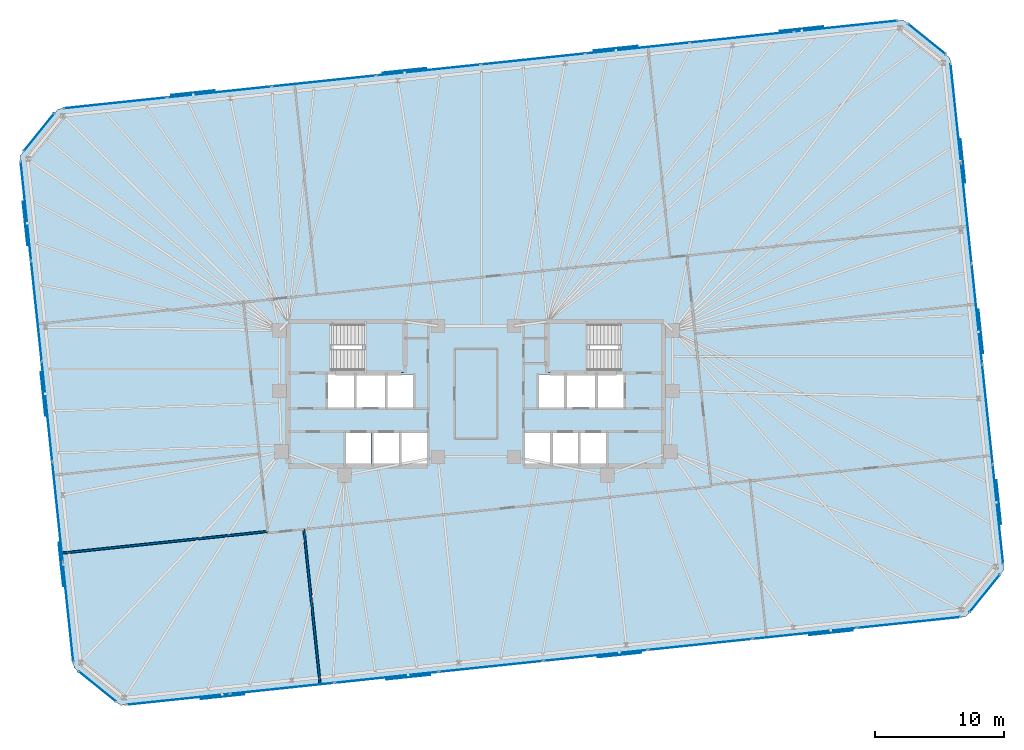
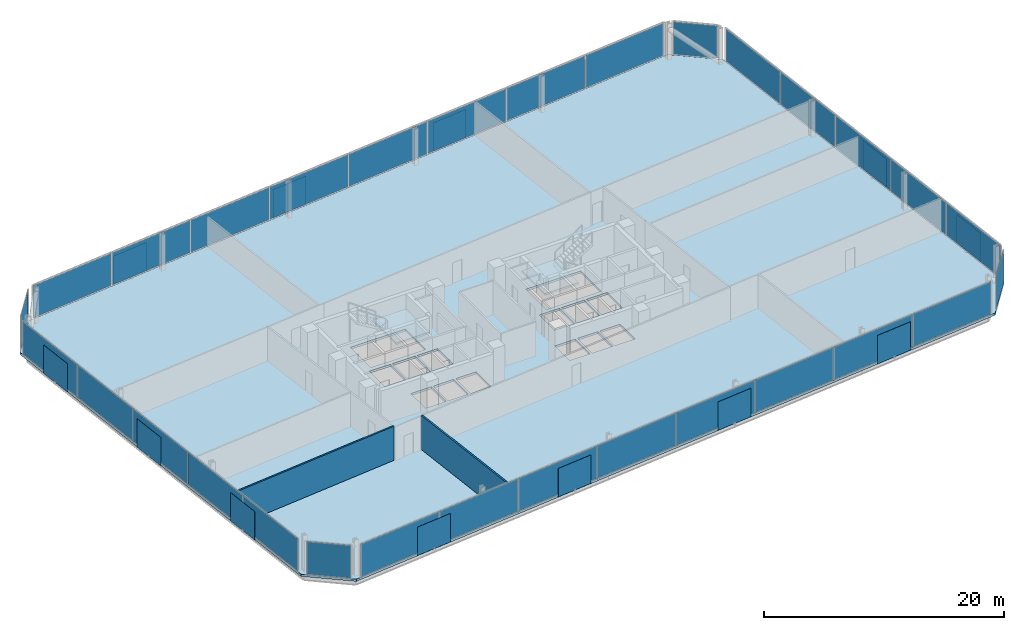
# One storey, part 13 of 18: 44 plates, 3 slabs, 2 walls, 10 elements without a shape of their own.
"""IFC4 building model written with IfcOpenShell, lengths in metres."""

import ifcopenshell
import ifcopenshell.guid

model = None  # the IFC model being written
_history = None  # IfcOwnerHistory: only IFC2X3 demands one
_inside = {}  # id of a spatial element -> (the spatial element, [elements in it])
_under = {}  # id of a project, library or spatial element -> (it, [spatial elements below it])
_declared = {}  # id of a project -> (the project, [libraries it declares])
_typed = {}  # id of a type object -> (the type object, [elements of that type])
_made_of = {}  # id of a material, layer set ... -> (it, [elements and type objects made of it])


def new_model(schema):
    """Start an empty IFC model of exactly this schema.

    Asked for "IFC4X3", IfcOpenShell would pick the latest addendum, in which some entities
    have other attributes; the version numbers below select the first issue.
    IFC2X3 requires an IfcOwnerHistory on every rooted entity: one is made here for all.
    """
    global model, _history
    if schema == "IFC4X3":
        model = ifcopenshell.file(schema_version=(4, 3, 0, 0))
    else:
        model = ifcopenshell.file(schema=schema)
    _inside.clear()
    _under.clear()
    _declared.clear()
    _typed.clear()
    _made_of.clear()
    _history = None
    if model.schema == "IFC2X3":
        org = make("IfcOrganization", Name="unknown")
        user = make(
            "IfcPersonAndOrganization",
            ThePerson=make("IfcPerson", FamilyName="unknown"),
            TheOrganization=org,
        )
        app = make(
            "IfcApplication",
            ApplicationDeveloper=org,
            Version="unknown",
            ApplicationFullName="unknown",
            ApplicationIdentifier="unknown",
        )
        _history = make(
            "IfcOwnerHistory",
            OwningUser=user,
            OwningApplication=app,
            ChangeAction="ADDED",
            CreationDate=0,
        )
    return model


def make(cls, **values):
    """One entity of the class cls with the attributes given. An attribute that is None is left unset."""
    return model.create_entity(
        cls, **{name: value for name, value in values.items() if value is not None}
    )


def rooted(cls, **values):
    """An entity with a GlobalId (a new one), such as an element, a storey or a relation."""
    return make(cls, GlobalId=ifcopenshell.guid.new(), OwnerHistory=_history, **values)


def si_unit(unit_type, name, prefix=None):
    """IfcSIUnit, for example si_unit("LENGTHUNIT", "METRE", prefix="MILLI")."""
    return make("IfcSIUnit", UnitType=unit_type, Prefix=prefix, Name=name)


def assignment(units):
    """IfcUnitAssignment: the units of a project."""
    return None if units is None else make("IfcUnitAssignment", Units=units)


def point(xyz):
    """IfcCartesianPoint."""
    return None if xyz is None else make("IfcCartesianPoint", Coordinates=xyz)


def direction(xyz):
    """IfcDirection."""
    return None if xyz is None else make("IfcDirection", DirectionRatios=xyz)


def frame(location, z_axis=None, x_axis=None):
    """IfcAxis2Placement3D, a coordinate frame: its origin and axes. An axis left out is left unset."""
    return make(
        "IfcAxis2Placement3D",
        Location=point(location),
        Axis=direction(z_axis),
        RefDirection=direction(x_axis),
    )


def frame_2d(location, x_axis=None):
    """IfcAxis2Placement2D, a coordinate frame in the plane: its origin and x axis."""
    return make(
        "IfcAxis2Placement2D", Location=point(location), RefDirection=direction(x_axis)
    )


def origin():
    """The frame at (0, 0, 0) with its axes left unset."""
    return frame((0.0, 0.0, 0.0))


def origin_2d():
    """The frame at (0, 0) in the plane with its x axis left unset."""
    return frame_2d((0.0, 0.0))


def place(relative_to, where):
    """IfcLocalPlacement: puts the frame where relative to a parent placement (None: the world)."""
    return make(
        "IfcLocalPlacement", PlacementRelTo=relative_to, RelativePlacement=where
    )


def context(
    kind, dimensions, precision=None, world=None, true_north=None, identifier=None
):
    """IfcGeometricRepresentationContext, for example the 3D "Model" context."""
    return make(
        "IfcGeometricRepresentationContext",
        ContextIdentifier=identifier,
        ContextType=kind,
        CoordinateSpaceDimension=dimensions,
        Precision=precision,
        WorldCoordinateSystem=world,
        TrueNorth=true_north,
    )


def subcontext(parent, identifier, kind, view, scale=None):
    """IfcGeometricRepresentationSubContext, for example "Body" below "Model"."""
    return make(
        "IfcGeometricRepresentationSubContext",
        ContextIdentifier=identifier,
        ContextType=kind,
        ParentContext=parent,
        TargetScale=scale,
        TargetView=view,
    )


def project(units=None, contexts=None):
    """IfcProject with its units and contexts."""
    return rooted(
        "IfcProject",
        Name="project",
        RepresentationContexts=contexts,
        UnitsInContext=assignment(units),
    )


def spatial(cls, under=None, at=None, **own):
    """A site, building, storey or space (cls), placed at a placement, below another one or the project."""
    s = rooted(cls, ObjectPlacement=at, **own)
    if under is not None:
        _under.setdefault(under.id(), (under, []))[1].append(s)
    return s


def polyline(points):
    """IfcPolyline through the points."""
    return make("IfcPolyline", Points=[point(p) for p in points])


def profile(cls, at=None, kind="AREA", **sizes):
    """A parametric profile (cls). Its sizes go by their IFC names, for example OverallWidth=200.0."""
    return make(cls, ProfileType=kind, Position=at, **sizes)


def rectangle(**sizes):
    """IfcRectangleProfileDef."""
    return profile("IfcRectangleProfileDef", **sizes)


def outline(outer, holes=None, kind="AREA"):
    """IfcArbitraryClosedProfileDef: a profile drawn as a closed curve; with holes, ...WithVoids."""
    if holes is None:
        return make("IfcArbitraryClosedProfileDef", ProfileType=kind, OuterCurve=outer)
    return make(
        "IfcArbitraryProfileDefWithVoids",
        ProfileType=kind,
        OuterCurve=outer,
        InnerCurves=holes,
    )


def extrude(swept, where, along, depth):
    """IfcExtrudedAreaSolid: the profile swept, set in the frame where, extruded along a direction by depth."""
    return make(
        "IfcExtrudedAreaSolid",
        SweptArea=swept,
        Position=where,
        ExtrudedDirection=direction(along),
        Depth=depth,
    )


def shape(context_of_items, identifier, shape_type, items):
    """IfcShapeRepresentation: the items that make up one representation, for example the "Body"."""
    return make(
        "IfcShapeRepresentation",
        ContextOfItems=context_of_items,
        RepresentationIdentifier=identifier,
        RepresentationType=shape_type,
        Items=items,
    )


def material(Name=None, Category=None):
    """IfcMaterial."""
    return make("IfcMaterial", Name=Name, Category=Category)


def layer(
    of_material, thickness, ventilated=None, Name=None, Category=None, Priority=None
):
    """IfcMaterialLayer: one layer of a wall or slab, of a material (None: an air gap)."""
    return make(
        "IfcMaterialLayer",
        Material=of_material,
        LayerThickness=thickness,
        IsVentilated=ventilated,
        Name=Name,
        Category=Category,
        Priority=Priority,
    )


def layer_set(layers, Name=None):
    """IfcMaterialLayerSet."""
    return make("IfcMaterialLayerSet", MaterialLayers=layers, LayerSetName=Name)


def made_of(thing, what):
    """Note that an element or type object is made of a material, layer set ...; save() writes the relation."""
    if what is not None:
        _made_of.setdefault(what.id(), (what, []))[1].append(thing)
    return thing


def type_object(cls, material=None, **own):
    """A type object (cls), such as IfcWallType, which elements share."""
    return made_of(rooted(cls, **own), material)


def element(
    cls,
    number,
    at=None,
    inside=None,
    cuts=None,
    type_object=None,
    material=None,
    context=None,
    identifier="Body",
    shape_type=None,
    held_by="IfcProductDefinitionShape",
    body=None,
    shapes=None,
    **own,
):
    """One element of the class cls, such as IfcWall. Its Tag is "e" and its number.

    at: its placement. inside: the storey or other place that contains it. cuts: it is an
    opening in that element (IfcRelVoidsElement). A single representation is given by context,
    identifier, shape_type and body (its items); several are given by shapes. held_by: the class
    of the entity that holds the representations. save() writes the other relations.
    """
    e = rooted(cls, Tag="e%d" % number, ObjectPlacement=at, **own)
    if body is not None:
        shapes = [shape(context, identifier, shape_type, body)]
    if shapes is not None:
        e.Representation = make(held_by, Representations=shapes)
    if inside is not None:
        _inside.setdefault(inside.id(), (inside, []))[1].append(e)
    if cuts is not None:
        rooted(
            "IfcRelVoidsElement", RelatingBuildingElement=cuts, RelatedOpeningElement=e
        )
    if type_object is not None:
        _typed.setdefault(type_object.id(), (type_object, []))[1].append(e)
    return made_of(e, material)


def aggregate(whole, parts):
    """IfcRelAggregates: a whole, such as a stair, and the parts it consists of."""
    return rooted("IfcRelAggregates", RelatingObject=whole, RelatedObjects=parts)


def save(model, path):
    """Write the relations noted so far, then the file.

    IfcRelAggregates (storeys below a building ...), IfcRelContainedInSpatialStructure (elements
    in a storey), IfcRelDefinesByType, IfcRelAssociatesMaterial and IfcRelDeclares: one each for
    every whole, place, type object, material and project.
    """
    for whole, parts in _under.values():
        aggregate(whole, parts)
    for where, things in _inside.values():
        rooted(
            "IfcRelContainedInSpatialStructure",
            RelatedElements=things,
            RelatingStructure=where,
        )
    for kind, things in _typed.values():
        rooted("IfcRelDefinesByType", RelatedObjects=things, RelatingType=kind)
    for what, things in _made_of.values():
        rooted("IfcRelAssociatesMaterial", RelatedObjects=things, RelatingMaterial=what)
    for by, libraries in _declared.values():
        rooted("IfcRelDeclares", RelatingContext=by, RelatedDefinitions=libraries)
    model.write(path)


model = new_model("IFC4")

# Units and contexts
model_context = context("Model", 3, precision=1e-05, world=origin(), true_north=direction((0.0, 1.0)))
body_context = subcontext(model_context, "Body", "Model", "MODEL_VIEW")
ifc_project = project(units=[si_unit("LENGTHUNIT", "METRE"), si_unit("AREAUNIT", "SQUARE_METRE"), si_unit("VOLUMEUNIT", "CUBIC_METRE"), si_unit("PLANEANGLEUNIT", "RADIAN"), si_unit("MASSUNIT", "GRAM", prefix="KILO")], contexts=[model_context])

# Site, building, storey
site_placement = place(None, origin())
site = spatial("IfcSite", under=ifc_project, at=site_placement, CompositionType="ELEMENT")
building_placement = place(site_placement, origin())
building = spatial("IfcBuilding", under=site, at=building_placement, Name="Menara Jurai Vektor", CompositionType="ELEMENT")
storey_placement = place(building_placement, frame((0.0, 0.0, 135.5)))
storey = spatial("IfcBuildingStorey", under=building, at=storey_placement, Name="L34", CompositionType="ELEMENT", Elevation=135.5)

# Curtain wall, plates
ifc_material_1 = material(Name="Anodised Pale Aluminium & Low-E Double Glazing", Category="aluminium")
curtain_wall_type = type_object("IfcCurtainWallType", Name="CW-BLK2", PredefinedType="NOTDEFINED", material=ifc_material_1)
curtain_wall_1_placement = place(storey_placement, origin())
curtain_wall_1 = element("IfcCurtainWall", 1, at=curtain_wall_1_placement, inside=storey, type_object=curtain_wall_type, Name="Unitised Curtain Wall L34 F01", PredefinedType="NOTDEFINED")
ifc_material_2 = material(Name="Low-E Solar-Control Double Glazed Unit", Category="glass")
ifc_layer_1 = layer(ifc_material_2, 0.033935546875)
ifc_layer_set_1 = layer_set([ifc_layer_1], Name="Low-E Solar-Control Double Glazed Unit")
plate_type_1 = type_object("IfcPlateType", Name="CW-BLK2-PNL", PredefinedType="CURTAIN_PANEL", material=ifc_layer_set_1)
plate_1_placement = place(storey_placement, frame((-23.090087890625, -23.69921875, 0.090087890625), z_axis=(0.0, 0.0, 1.0), x_axis=(0.994521877325, 0.104528634935, 0.0)))
plate_1 = element("IfcPlate", 2, at=plate_1_placement, type_object=plate_type_1, Name="CW-02 panel 1.1", PredefinedType="CURTAIN_PANEL", context=body_context, shape_type="SweptSolid", body=[
    extrude(rectangle(XDim=8.007568359375, YDim=0.033935546875, at=origin_2d()), origin(), (0.0, 0.0, 1.0), 3.294921875),
])
plate_2_placement = place(storey_placement, frame((-15.014404296875, -22.850341796875, 0.090087890625), z_axis=(0.0, 0.0, 1.0), x_axis=(0.994521877325, 0.104528634935, 0.0)))
plate_2 = element("IfcPlate", 3, at=plate_2_placement, type_object=plate_type_1, Name="CW-02 panel 2.1", PredefinedType="CURTAIN_PANEL", context=body_context, shape_type="SweptSolid", body=[
    extrude(rectangle(XDim=8.052490234375, YDim=0.033935546875, at=origin_2d()), origin(), (0.0, 0.0, 1.0), 3.294921875),
])
plate_3_placement = place(storey_placement, frame((-6.91650390625, -21.999267578125, 0.090087890625), z_axis=(0.0, 0.0, 1.0), x_axis=(0.994521877325, 0.104528634935, 0.0)))
plate_3 = element("IfcPlate", 4, at=plate_3_placement, type_object=plate_type_1, Name="CW-02 panel 3.1", PredefinedType="CURTAIN_PANEL", context=body_context, shape_type="SweptSolid", body=[
    extrude(rectangle(XDim=8.052490234375, YDim=0.033935546875, at=origin_2d()), origin(), (0.0, 0.0, 1.0), 3.294921875),
])
plate_4_placement = place(storey_placement, frame((1.181396484375, -21.148193359375, 0.090087890625), z_axis=(0.0, 0.0, 1.0), x_axis=(0.994521877325, 0.104528634935, 0.0)))
plate_4 = element("IfcPlate", 5, at=plate_4_placement, type_object=plate_type_1, Name="CW-02 panel 4.1", PredefinedType="CURTAIN_PANEL", context=body_context, shape_type="SweptSolid", body=[
    extrude(rectangle(XDim=8.052490234375, YDim=0.033935546875, at=origin_2d()), origin(), (0.0, 0.0, 1.0), 3.294921875),
])
plate_5_placement = place(storey_placement, frame((9.279296875, -20.297119140625, 0.090087890625), z_axis=(0.0, 0.0, 1.0), x_axis=(0.994521877325, 0.104528634935, 0.0)))
plate_5 = element("IfcPlate", 6, at=plate_5_placement, type_object=plate_type_1, Name="CW-02 panel 5.1", PredefinedType="CURTAIN_PANEL", context=body_context, shape_type="SweptSolid", body=[
    extrude(rectangle(XDim=8.052490234375, YDim=0.033935546875, at=origin_2d()), origin(), (0.0, 0.0, 1.0), 3.294921875),
])
plate_6_placement = place(storey_placement, frame((17.377197265625, -19.44580078125, 0.090087890625), z_axis=(0.0, 0.0, 1.0), x_axis=(0.994521877325, 0.104528634935, 0.0)))
plate_6 = element("IfcPlate", 7, at=plate_6_placement, type_object=plate_type_1, Name="CW-02 panel 6.1", PredefinedType="CURTAIN_PANEL", context=body_context, shape_type="SweptSolid", body=[
    extrude(rectangle(XDim=8.052490234375, YDim=0.033935546875, at=origin_2d()), origin(), (0.0, 0.0, 1.0), 3.294921875),
])
plate_7_placement = place(storey_placement, frame((25.47509765625, -18.5947265625, 0.090087890625), z_axis=(0.0, 0.0, 1.0), x_axis=(0.994521877325, 0.104528634935, 0.0)))
plate_7 = element("IfcPlate", 8, at=plate_7_placement, type_object=plate_type_1, Name="CW-02 panel 7.1", PredefinedType="CURTAIN_PANEL", context=body_context, shape_type="SweptSolid", body=[
    extrude(rectangle(XDim=8.052490234375, YDim=0.033935546875, at=origin_2d()), origin(), (0.0, 0.0, 1.0), 3.294921875),
])
plate_8_placement = place(storey_placement, frame((33.550537109375, -17.74609375, 0.090087890625), z_axis=(0.0, 0.0, 1.0), x_axis=(0.994521877325, 0.104528634935, 0.0)))
plate_8 = element("IfcPlate", 9, at=plate_8_placement, type_object=plate_type_1, Name="CW-02 panel 8.1", PredefinedType="CURTAIN_PANEL", context=body_context, shape_type="SweptSolid", body=[
    extrude(rectangle(XDim=8.007568359375, YDim=0.033935546875, at=origin_2d()), origin(), (0.0, 0.0, 1.0), 3.294921875),
])
aggregate(curtain_wall_1, [plate_1, plate_2, plate_3, plate_4, plate_5, plate_6, plate_7, plate_8])

curtain_wall_2_placement = place(storey_placement, origin())
curtain_wall_2 = element("IfcCurtainWall", 10, at=curtain_wall_2_placement, inside=storey, type_object=curtain_wall_type, Name="Unitised Curtain Wall L34 F03", PredefinedType="NOTDEFINED")
plate_9_placement = place(storey_placement, frame((40.485595703125, -9.358642578125, 0.090087890625), z_axis=(0.0, 0.0, 1.0), x_axis=(-0.104529576902, 0.99452177832, 0.0)))
plate_9 = element("IfcPlate", 11, at=plate_9_placement, type_object=plate_type_1, Name="CW-02 panel 1.1", PredefinedType="CURTAIN_PANEL", context=body_context, shape_type="SweptSolid", body=[
    extrude(rectangle(XDim=7.693115234375, YDim=0.033935546875, at=origin_2d()), origin(), (0.0, 0.0, 1.0), 3.294921875),
])
plate_10_placement = place(storey_placement, frame((39.669677734375, -1.595947265625, 0.090087890625), z_axis=(0.0, 0.0, 1.0), x_axis=(-0.104529576902, 0.99452177832, 0.0)))
plate_10 = element("IfcPlate", 12, at=plate_10_placement, type_object=plate_type_1, Name="CW-02 panel 2.1", PredefinedType="CURTAIN_PANEL", context=body_context, shape_type="SweptSolid", body=[
    extrude(rectangle(XDim=7.738037109375, YDim=0.033935546875, at=origin_2d()), origin(), (0.0, 0.0, 1.0), 3.294921875),
])
plate_11_placement = place(storey_placement, frame((38.8515625, 6.189208984375, 0.090087890625), z_axis=(0.0, 0.0, 1.0), x_axis=(-0.104529576902, 0.99452177832, 0.0)))
plate_11 = element("IfcPlate", 13, at=plate_11_placement, type_object=plate_type_1, Name="CW-02 panel 3.1", PredefinedType="CURTAIN_PANEL", context=body_context, shape_type="SweptSolid", body=[
    extrude(rectangle(XDim=7.738037109375, YDim=0.033935546875, at=origin_2d()), origin(), (0.0, 0.0, 1.0), 3.294921875),
])
plate_12_placement = place(storey_placement, frame((38.033203125, 13.974365234375, 0.090087890625), z_axis=(0.0, 0.0, 1.0), x_axis=(-0.104529576902, 0.99452177832, 0.0)))
plate_12 = element("IfcPlate", 14, at=plate_12_placement, type_object=plate_type_1, Name="CW-02 panel 4.1", PredefinedType="CURTAIN_PANEL", context=body_context, shape_type="SweptSolid", body=[
    extrude(rectangle(XDim=7.738037109375, YDim=0.033935546875, at=origin_2d()), origin(), (0.0, 0.0, 1.0), 3.294921875),
])
plate_13_placement = place(storey_placement, frame((37.21728515625, 21.737060546875, 0.090087890625), z_axis=(0.0, 0.0, 1.0), x_axis=(-0.104529576902, 0.99452177832, 0.0)))
plate_13 = element("IfcPlate", 15, at=plate_13_placement, type_object=plate_type_1, Name="CW-02 panel 5.1", PredefinedType="CURTAIN_PANEL", context=body_context, shape_type="SweptSolid", body=[
    extrude(rectangle(XDim=7.693115234375, YDim=0.033935546875, at=origin_2d()), origin(), (0.0, 0.0, 1.0), 3.294921875),
])
aggregate(curtain_wall_2, [plate_9, plate_10, plate_11, plate_12, plate_13])

curtain_wall_3_placement = place(storey_placement, origin())
curtain_wall_3 = element("IfcCurtainWall", 16, at=curtain_wall_3_placement, inside=storey, type_object=curtain_wall_type, Name="Unitised Curtain Wall L34 F05", PredefinedType="NOTDEFINED")
plate_14_placement = place(storey_placement, frame((28.68994140625, 28.499267578125, 0.090087890625), z_axis=(0.0, 0.0, 1.0), x_axis=(-0.994521877325, -0.104528634935, 0.0)))
plate_14 = element("IfcPlate", 17, at=plate_14_placement, type_object=plate_type_1, Name="CW-02 panel 1.1", PredefinedType="CURTAIN_PANEL", context=body_context, shape_type="SweptSolid", body=[
    extrude(rectangle(XDim=8.007568359375, YDim=0.033935546875, at=origin_2d()), origin(), (0.0, 0.0, 1.0), 3.294921875),
])
plate_15_placement = place(storey_placement, frame((20.614501953125, 27.650390625, 0.090087890625), z_axis=(0.0, 0.0, 1.0), x_axis=(-0.994521877325, -0.104528634935, 0.0)))
plate_15 = element("IfcPlate", 18, at=plate_15_placement, type_object=plate_type_1, Name="CW-02 panel 2.1", PredefinedType="CURTAIN_PANEL", context=body_context, shape_type="SweptSolid", body=[
    extrude(rectangle(XDim=8.052490234375, YDim=0.033935546875, at=origin_2d()), origin(), (0.0, 0.0, 1.0), 3.294921875),
])
plate_16_placement = place(storey_placement, frame((12.5166015625, 26.79931640625, 0.090087890625), z_axis=(0.0, 0.0, 1.0), x_axis=(-0.994521877325, -0.104528634935, 0.0)))
plate_16 = element("IfcPlate", 19, at=plate_16_placement, type_object=plate_type_1, Name="CW-02 panel 3.1", PredefinedType="CURTAIN_PANEL", context=body_context, shape_type="SweptSolid", body=[
    extrude(rectangle(XDim=8.052490234375, YDim=0.033935546875, at=origin_2d()), origin(), (0.0, 0.0, 1.0), 3.294921875),
])
plate_17_placement = place(storey_placement, frame((4.418701171875, 25.9482421875, 0.090087890625), z_axis=(0.0, 0.0, 1.0), x_axis=(-0.994521877325, -0.104528634935, 0.0)))
plate_17 = element("IfcPlate", 20, at=plate_17_placement, type_object=plate_type_1, Name="CW-02 panel 4.1", PredefinedType="CURTAIN_PANEL", context=body_context, shape_type="SweptSolid", body=[
    extrude(rectangle(XDim=8.052490234375, YDim=0.033935546875, at=origin_2d()), origin(), (0.0, 0.0, 1.0), 3.294921875),
])
plate_18_placement = place(storey_placement, frame((-3.67919921875, 25.096923828125, 0.090087890625), z_axis=(0.0, 0.0, 1.0), x_axis=(-0.994521877325, -0.104528634935, 0.0)))
plate_18 = element("IfcPlate", 21, at=plate_18_placement, type_object=plate_type_1, Name="CW-02 panel 5.1", PredefinedType="CURTAIN_PANEL", context=body_context, shape_type="SweptSolid", body=[
    extrude(rectangle(XDim=8.052490234375, YDim=0.033935546875, at=origin_2d()), origin(), (0.0, 0.0, 1.0), 3.294921875),
])
plate_19_placement = place(storey_placement, frame((-11.777099609375, 24.245849609375, 0.090087890625), z_axis=(0.0, 0.0, 1.0), x_axis=(-0.994521877325, -0.104528634935, 0.0)))
plate_19 = element("IfcPlate", 22, at=plate_19_placement, type_object=plate_type_1, Name="CW-02 panel 6.1", PredefinedType="CURTAIN_PANEL", context=body_context, shape_type="SweptSolid", body=[
    extrude(rectangle(XDim=8.052490234375, YDim=0.033935546875, at=origin_2d()), origin(), (0.0, 0.0, 1.0), 3.294921875),
])
plate_20_placement = place(storey_placement, frame((-19.875, 23.394775390625, 0.090087890625), z_axis=(0.0, 0.0, 1.0), x_axis=(-0.994521877325, -0.104528634935, 0.0)))
plate_20 = element("IfcPlate", 23, at=plate_20_placement, type_object=plate_type_1, Name="CW-02 panel 7.1", PredefinedType="CURTAIN_PANEL", context=body_context, shape_type="SweptSolid", body=[
    extrude(rectangle(XDim=8.052490234375, YDim=0.033935546875, at=origin_2d()), origin(), (0.0, 0.0, 1.0), 3.294921875),
])
plate_21_placement = place(storey_placement, frame((-27.95068359375, 22.5458984375, 0.090087890625), z_axis=(0.0, 0.0, 1.0), x_axis=(-0.994521877325, -0.104528634935, 0.0)))
plate_21 = element("IfcPlate", 24, at=plate_21_placement, type_object=plate_type_1, Name="CW-02 panel 8.1", PredefinedType="CURTAIN_PANEL", context=body_context, shape_type="SweptSolid", body=[
    extrude(rectangle(XDim=8.007568359375, YDim=0.033935546875, at=origin_2d()), origin(), (0.0, 0.0, 1.0), 3.294921875),
])
aggregate(curtain_wall_3, [plate_14, plate_15, plate_16, plate_17, plate_18, plate_19, plate_20, plate_21])

curtain_wall_4_placement = place(storey_placement, origin())
curtain_wall_4 = element("IfcCurtainWall", 25, at=curtain_wall_4_placement, inside=storey, type_object=curtain_wall_type, Name="Unitised Curtain Wall L34 F07", PredefinedType="NOTDEFINED")
plate_22_placement = place(storey_placement, frame((-34.885498046875, 14.15869140625, 0.090087890625), z_axis=(0.0, 0.0, 1.0), x_axis=(0.104529576902, -0.99452177832, 0.0)))
plate_22 = element("IfcPlate", 26, at=plate_22_placement, type_object=plate_type_1, Name="CW-02 panel 1.1", PredefinedType="CURTAIN_PANEL", context=body_context, shape_type="SweptSolid", body=[
    extrude(rectangle(XDim=7.693115234375, YDim=0.033935546875, at=origin_2d()), origin(), (0.0, 0.0, 1.0), 3.294921875),
])
plate_23_placement = place(storey_placement, frame((-34.06982421875, 6.39599609375, 0.090087890625), z_axis=(0.0, 0.0, 1.0), x_axis=(0.104529576902, -0.99452177832, 0.0)))
plate_23 = element("IfcPlate", 27, at=plate_23_placement, type_object=plate_type_1, Name="CW-02 panel 2.1", PredefinedType="CURTAIN_PANEL", context=body_context, shape_type="SweptSolid", body=[
    extrude(rectangle(XDim=7.738037109375, YDim=0.033935546875, at=origin_2d()), origin(), (0.0, 0.0, 1.0), 3.294921875),
])
plate_24_placement = place(storey_placement, frame((-33.25146484375, -1.38916015625, 0.090087890625), z_axis=(0.0, 0.0, 1.0), x_axis=(0.104529576902, -0.99452177832, 0.0)))
plate_24 = element("IfcPlate", 28, at=plate_24_placement, type_object=plate_type_1, Name="CW-02 panel 3.1", PredefinedType="CURTAIN_PANEL", context=body_context, shape_type="SweptSolid", body=[
    extrude(rectangle(XDim=7.738037109375, YDim=0.033935546875, at=origin_2d()), origin(), (0.0, 0.0, 1.0), 3.294921875),
])
plate_25_placement = place(storey_placement, frame((-32.43310546875, -9.17431640625, 0.090087890625), z_axis=(0.0, 0.0, 1.0), x_axis=(0.104529576902, -0.99452177832, 0.0)))
plate_25 = element("IfcPlate", 29, at=plate_25_placement, type_object=plate_type_1, Name="CW-02 panel 4.1", PredefinedType="CURTAIN_PANEL", context=body_context, shape_type="SweptSolid", body=[
    extrude(rectangle(XDim=7.738037109375, YDim=0.033935546875, at=origin_2d()), origin(), (0.0, 0.0, 1.0), 3.294921875),
])
plate_26_placement = place(storey_placement, frame((-31.6171875, -16.93701171875, 0.090087890625), z_axis=(0.0, 0.0, 1.0), x_axis=(0.104529576902, -0.99452177832, 0.0)))
plate_26 = element("IfcPlate", 30, at=plate_26_placement, type_object=plate_type_1, Name="CW-02 panel 5.1", PredefinedType="CURTAIN_PANEL", context=body_context, shape_type="SweptSolid", body=[
    extrude(rectangle(XDim=7.693115234375, YDim=0.033935546875, at=origin_2d()), origin(), (0.0, 0.0, 1.0), 3.294921875),
])
aggregate(curtain_wall_4, [plate_22, plate_23, plate_24, plate_25, plate_26])

# Curtain wall, plate
curtain_wall_5_placement = place(storey_placement, origin())
curtain_wall_5 = element("IfcCurtainWall", 31, at=curtain_wall_5_placement, inside=storey, type_object=curtain_wall_type, Name="Unitised Curtain Wall L34 F02", PredefinedType="NOTDEFINED")
ifc_material_3 = material(Name="Insulated Pale Aluminium Spandrel Panel", Category="aluminium")
ifc_layer_2 = layer(ifc_material_3, 0.06005859375)
ifc_layer_set_2 = layer_set([ifc_layer_2], Name="Insulated Pale Aluminium Spandrel Panel")
plate_type_2 = type_object("IfcPlateType", Name="CW-PNL-SP", PredefinedType="CURTAIN_PANEL", material=ifc_layer_set_2)
plate_27_placement = place(storey_placement, frame((39.46826171875, -15.465087890625, 0.090087890625), z_axis=(0.0, 0.0, 1.0), x_axis=(0.62934106172, 0.777129222223, 0.0)))
plate_27 = element("IfcPlate", 32, at=plate_27_placement, type_object=plate_type_2, Name="CW-02 panel 1.1", PredefinedType="CURTAIN_PANEL", context=body_context, shape_type="SweptSolid", body=[
    extrude(rectangle(XDim=3.72705078125, YDim=0.06005859375, at=origin_2d()), origin(), (0.0, 0.0, 1.0), 3.294921875),
])
aggregate(curtain_wall_5, [plate_27])

curtain_wall_6_placement = place(storey_placement, origin())
curtain_wall_6 = element("IfcCurtainWall", 33, at=curtain_wall_6_placement, inside=storey, type_object=curtain_wall_type, Name="Unitised Curtain Wall L34 F04", PredefinedType="NOTDEFINED")
plate_28_placement = place(storey_placement, frame((34.95263671875, 27.498291015625, 0.090087890625), z_axis=(0.0, 0.0, 1.0), x_axis=(-0.777151877437, 0.629313085353, 0.0)))
plate_28 = element("IfcPlate", 34, at=plate_28_placement, type_object=plate_type_2, Name="CW-02 panel 1.1", PredefinedType="CURTAIN_PANEL", context=body_context, shape_type="SweptSolid", body=[
    extrude(rectangle(XDim=3.72705078125, YDim=0.06005859375, at=origin_2d()), origin(), (0.0, 0.0, 1.0), 3.294921875),
])
aggregate(curtain_wall_6, [plate_28])

curtain_wall_7_placement = place(storey_placement, origin())
curtain_wall_7 = element("IfcCurtainWall", 35, at=curtain_wall_7_placement, inside=storey, type_object=curtain_wall_type, Name="Unitised Curtain Wall L34 F06", PredefinedType="NOTDEFINED")
plate_29_placement = place(storey_placement, frame((-33.868408203125, 20.264892578125, 0.090087890625), z_axis=(0.0, 0.0, 1.0), x_axis=(-0.62934106172, -0.777129222223, 0.0)))
plate_29 = element("IfcPlate", 36, at=plate_29_placement, type_object=plate_type_2, Name="CW-02 panel 1.1", PredefinedType="CURTAIN_PANEL", context=body_context, shape_type="SweptSolid", body=[
    extrude(rectangle(XDim=3.72705078125, YDim=0.06005859375, at=origin_2d()), origin(), (0.0, 0.0, 1.0), 3.294921875),
])
aggregate(curtain_wall_7, [plate_29])

curtain_wall_8_placement = place(storey_placement, origin())
curtain_wall_8 = element("IfcCurtainWall", 37, at=curtain_wall_8_placement, inside=storey, type_object=curtain_wall_type, Name="Unitised Curtain Wall L34 F08", PredefinedType="NOTDEFINED")
plate_30_placement = place(storey_placement, frame((-29.3525390625, -22.6982421875, 0.090087890625), z_axis=(0.0, 0.0, 1.0), x_axis=(0.777151877437, -0.629313085353, 0.0)))
plate_30 = element("IfcPlate", 38, at=plate_30_placement, type_object=plate_type_2, Name="CW-02 panel 1.1", PredefinedType="CURTAIN_PANEL", context=body_context, shape_type="SweptSolid", body=[
    extrude(rectangle(XDim=3.72705078125, YDim=0.06005859375, at=origin_2d()), origin(), (0.0, 0.0, 1.0), 3.294921875),
])
aggregate(curtain_wall_8, [plate_30])

# Plates
ifc_material_4 = material(Name="Anodised Pale Aluminium Perforated Screen", Category="aluminium")
ifc_layer_3 = layer(ifc_material_4, 0.02392578125)
ifc_layer_set_3 = layer_set([ifc_layer_3], Name="Anodised Pale Aluminium Perforated Screen")
plate_type_3 = type_object("IfcPlateType", Name="ENV-PLT-SCREEN", PredefinedType="USERDEFINED", material=ifc_layer_set_3)
for number, where, z_axis, x_axis, name in (
    (39, (-19.65771484375, -23.499267578125, -0.050048828125), (0.0, 0.0, 1.0), (0.994521895368, 0.104528463268, 0.0), "Perforated Pale-Metal Solar Screen L34-S01"),
    (40, (-5.2392578125, -21.98388671875, -0.050048828125), (0.0, 0.0, 1.0), (0.994521895368, 0.104528463268, 0.0), "Perforated Pale-Metal Solar Screen L34-S02"),
    (41, (11.1455078125, -20.26171875, -0.050048828125), (0.0, 0.0, 1.0), (0.994521895368, 0.104528463268, 0.0), "Perforated Pale-Metal Solar Screen L34-S03"),
    (42, (27.5302734375, -18.539794921875, -0.050048828125), (0.0, 0.0, 1.0), (0.994521895368, 0.104528463268, 0.0), "Perforated Pale-Metal Solar Screen L34-S04"),
    (43, (40.546875, -8.41015625, -0.050048828125), (0.0, 0.0, 1.0), (-0.104528463268, 0.994521895368, 0.0), "Perforated Pale-Metal Solar Screen L34-S05"),
    (44, (39.156494140625, 4.81689453125, -0.050048828125), (0.0, 0.0, 1.0), (-0.104528463268, 0.994521895368, 0.0), "Perforated Pale-Metal Solar Screen L34-S06"),
    (45, (37.766357421875, 18.044189453125, -0.050048828125), (0.0, 0.0, 1.0), (-0.104528463268, 0.994521895368, 0.0), "Perforated Pale-Metal Solar Screen L34-S07"),
    (46, (25.2578125, 28.29931640625, -0.050048828125), (0.0, 0.0, 1.0), (-0.994521895368, -0.104528463268, 0.0), "Perforated Pale-Metal Solar Screen L34-S08"),
    (47, (10.839111328125, 26.783935546875, -0.050048828125), (0.0, 0.0, 1.0), (-0.994521895368, -0.104528463268, 0.0), "Perforated Pale-Metal Solar Screen L34-S09"),
    (48, (-5.54541015625, 25.061767578125, -0.050048828125), (0.0, 0.0, 1.0), (-0.994521895368, -0.104528463268, 0.0), "Perforated Pale-Metal Solar Screen L34-S10"),
    (49, (-21.930419921875, 23.339599609375, -0.050048828125), (0.0, 0.0, 1.0), (-0.994521895368, -0.104528463268, 0.0), "Perforated Pale-Metal Solar Screen L34-S11"),
    (50, (-34.94677734375, 13.210205078125, -0.050048828125), (0.0, 0.0, 1.0), (0.104528463268, -0.994521895368, 0.0), "Perforated Pale-Metal Solar Screen L34-S12"),
    (51, (-33.556396484375, -0.01708984375, -0.050048828125), (0.0, 0.0, 1.0), (0.104528463268, -0.994521895368, 0.0), "Perforated Pale-Metal Solar Screen L34-S13"),
    (52, (-32.166259765625, -13.244140625, -0.050048828125), (0.0, 0.0, 1.0), (0.104528463268, -0.994521895368, 0.0), "Perforated Pale-Metal Solar Screen L34-S14"),
):
    element("IfcPlate", number, at=place(storey_placement, frame(where, z_axis=z_axis, x_axis=x_axis)), inside=storey, type_object=plate_type_3, Name=name, ObjectType="SCREEN", PredefinedType="USERDEFINED", context=body_context, shape_type="SweptSolid", body=[
        extrude(rectangle(XDim=3.39990234375, YDim=0.02392578125, at=origin_2d()), origin(), (0.0, 0.0, 1.0), 2.89990234375),
    ])

# Stair, slab
ifc_material_5 = material(Name="Concrete C40/50", Category="concrete")
stair_type = type_object("IfcStairType", Name="STAIR-DOGLEG-1500", PredefinedType="HALF_TURN_STAIR", material=ifc_material_5)
stair_1_placement = place(storey_placement, origin())
stair_1 = element("IfcStair", 53, at=stair_1_placement, inside=storey, type_object=stair_type, Name="Protected Exit Stair ST1 L34", PredefinedType="HALF_TURN_STAIR")
ifc_layer_4 = layer(ifc_material_5, 0.199951171875)
ifc_layer_set_4 = layer_set([ifc_layer_4], Name="Concrete C40/50")
slab_type_1 = type_object("IfcSlabType", Name="STAIR-LANDING-200", PredefinedType="LANDING", material=ifc_layer_set_4)
slab_1_placement = place(storey_placement, frame((0.0, 0.0, 1.64990234375)))
slab_1 = element("IfcSlab", 54, at=slab_1_placement, type_object=slab_type_1, Name="ST1 landing 1", PredefinedType="LANDING", context=body_context, shape_type="SweptSolid", body=[
    extrude(outline(polyline([(-8.800048828125, 1.64990234375), (-5.550048828125, 1.64990234375), (-5.550048828125, 5.550048828125), (-8.800048828125, 5.550048828125), (-8.800048828125, 1.64990234375)])), origin(), (0.0, 0.0, 1.0), 0.2001953125),
])
aggregate(stair_1, [slab_1])

stair_2_placement = place(storey_placement, origin())
stair_2 = element("IfcStair", 55, at=stair_2_placement, inside=storey, type_object=stair_type, Name="Protected Exit Stair ST2 L34", PredefinedType="HALF_TURN_STAIR")
slab_2_placement = place(storey_placement, frame((0.0, 0.0, 1.64990234375)))
slab_2 = element("IfcSlab", 56, at=slab_2_placement, type_object=slab_type_1, Name="ST2 landing 1", PredefinedType="LANDING", context=body_context, shape_type="SweptSolid", body=[
    extrude(outline(polyline([(5.550048828125, 1.64990234375), (8.800048828125, 1.64990234375), (8.800048828125, 5.550048828125), (5.550048828125, 5.550048828125), (5.550048828125, 1.64990234375)])), origin(), (0.0, 0.0, 1.0), 0.2001953125),
])
aggregate(stair_2, [slab_2])

# Slab
ifc_layer_5 = layer(ifc_material_5, 0.22509765625)
ifc_layer_set_5 = layer_set([ifc_layer_5], Name="Concrete C40/50")
slab_type_2 = type_object("IfcSlabType", Name="STR-SLAB-TYP200", PredefinedType="FLOOR", material=ifc_layer_set_5)
slab_3_placement = place(storey_placement, frame((0.0, 0.0, -0.22509765625)))
element("IfcSlab", 57, at=slab_3_placement, inside=storey, type_object=slab_type_2, Name="Composite Floor Slab L34", PredefinedType="FLOOR", context=body_context, shape_type="SweptSolid", body=[
    extrude(outline(polyline([(-27.539306640625, -24.166748046875), (37.999755859375, -17.2783203125), (40.936767578125, -13.651611328125), (36.76611328125, 26.02978515625), (33.13916015625, 28.966796875), (-32.39990234375, 22.078369140625), (-35.3369140625, 18.45166015625), (-31.166015625, -21.22998046875), (-27.539306640625, -24.166748046875)]), holes=[polyline([(-11.10009765625, 1.89990234375), (-11.10009765625, 5.300048828125), (-5.800048828125, 5.300048828125), (-5.800048828125, 1.89990234375), (-11.10009765625, 1.89990234375)]), polyline([(5.800048828125, 1.89990234375), (5.800048828125, 5.300048828125), (11.10009765625, 5.300048828125), (11.10009765625, 1.89990234375), (5.800048828125, 1.89990234375)]), polyline([(-11.449951171875, -1.050048828125), (-11.449951171875, 1.5), (-9.449951171875, 1.5), (-9.449951171875, -1.050048828125), (-11.449951171875, -1.050048828125)]), polyline([(9.449951171875, -1.050048828125), (9.449951171875, 1.5), (11.449951171875, 1.5), (11.449951171875, -1.050048828125), (9.449951171875, -1.050048828125)]), polyline([(-5.760009765625, -5.5), (-5.760009765625, -3.050048828125), (-3.800048828125, -3.050048828125), (-3.800048828125, -5.5), (-5.760009765625, -5.5)]), polyline([(-6.85009765625, -1.050048828125), (-6.85009765625, 1.5), (-4.889892578125, 1.5), (-4.889892578125, -1.050048828125), (-6.85009765625, -1.050048828125)]), polyline([(3.800048828125, -5.5), (3.800048828125, -3.050048828125), (5.760009765625, -3.050048828125), (5.760009765625, -5.5), (3.800048828125, -5.5)]), polyline([(4.889892578125, -1.050048828125), (4.889892578125, 1.5), (6.85009765625, 1.5), (6.85009765625, -1.050048828125), (4.889892578125, -1.050048828125)]), polyline([(-10.080078125, -5.5), (-10.080078125, -3.050048828125), (-8.1201171875, -3.050048828125), (-8.1201171875, -5.5), (-10.080078125, -5.5)]), polyline([(-7.919921875, -5.5), (-7.919921875, -3.050048828125), (-5.9599609375, -3.050048828125), (-5.9599609375, -5.5), (-7.919921875, -5.5)]), polyline([(5.9599609375, -5.5), (5.9599609375, -3.050048828125), (7.919921875, -3.050048828125), (7.919921875, -5.5), (5.9599609375, -5.5)]), polyline([(8.1201171875, -5.5), (8.1201171875, -3.050048828125), (10.080078125, -3.050048828125), (10.080078125, -5.5), (8.1201171875, -5.5)]), polyline([(-9.25, -1.050048828125), (-9.25, 1.5), (-7.050048828125, 1.5), (-7.050048828125, -1.050048828125), (-9.25, -1.050048828125)]), polyline([(7.050048828125, -1.050048828125), (7.050048828125, 1.5), (9.25, 1.5), (9.25, -1.050048828125), (7.050048828125, -1.050048828125)])]), origin(), (0.0, 0.0, 1.0), 0.22509765625),
])

# Walls
ifc_material_6 = material(Name="Gypsum Fireboard Partition", Category="gypsum")
ifc_layer_6 = layer(ifc_material_6, 0.14990234375)
ifc_layer_set_6 = layer_set([ifc_layer_6], Name="Gypsum Fireboard Partition")
wall_type = type_object("IfcWallType", Name="INT-WALL-CORR-150", PredefinedType="PARTITIONING", material=ifc_layer_set_6)
wall_1_placement = place(storey_placement, frame((-12.074462890625, -22.54150390625, 0.0), z_axis=(0.0, 0.0, 1.0), x_axis=(-0.104515587229, 0.99452324861, 0.0)))
element("IfcWall", 58, at=wall_1_placement, inside=storey, type_object=wall_type, Name="Interior Wall IW-150 L34", PredefinedType="PARTITIONING", context=body_context, shape_type="SweptSolid", body=[
    extrude(rectangle(XDim=12.093017578125, YDim=0.14990234375, at=frame_2d((6.04638671875, 0.0))), origin(), (0.0, 0.0, 1.0), 3.47509765625),
])
wall_2_placement = place(storey_placement, frame((-32.0986328125, -12.357666015625, 0.0), z_axis=(0.0, 0.0, 1.0), x_axis=(0.994522794159, 0.104519911488, 0.0)))
element("IfcWall", 59, at=wall_2_placement, inside=storey, type_object=wall_type, Name="Interior Wall IW-150 L34", PredefinedType="PARTITIONING", context=body_context, shape_type="SweptSolid", body=[
    extrude(rectangle(XDim=16.033203125, YDim=0.14990234375, at=frame_2d((8.0166015625, 0.0))), origin(), (0.0, 0.0, 1.0), 3.47509765625),
])

save(model, "model.ifc")
